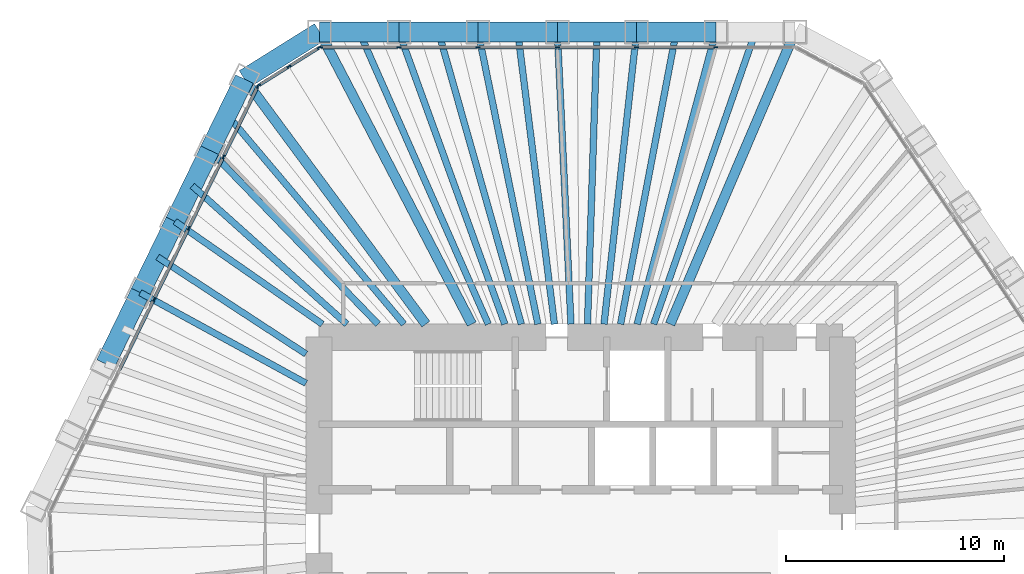
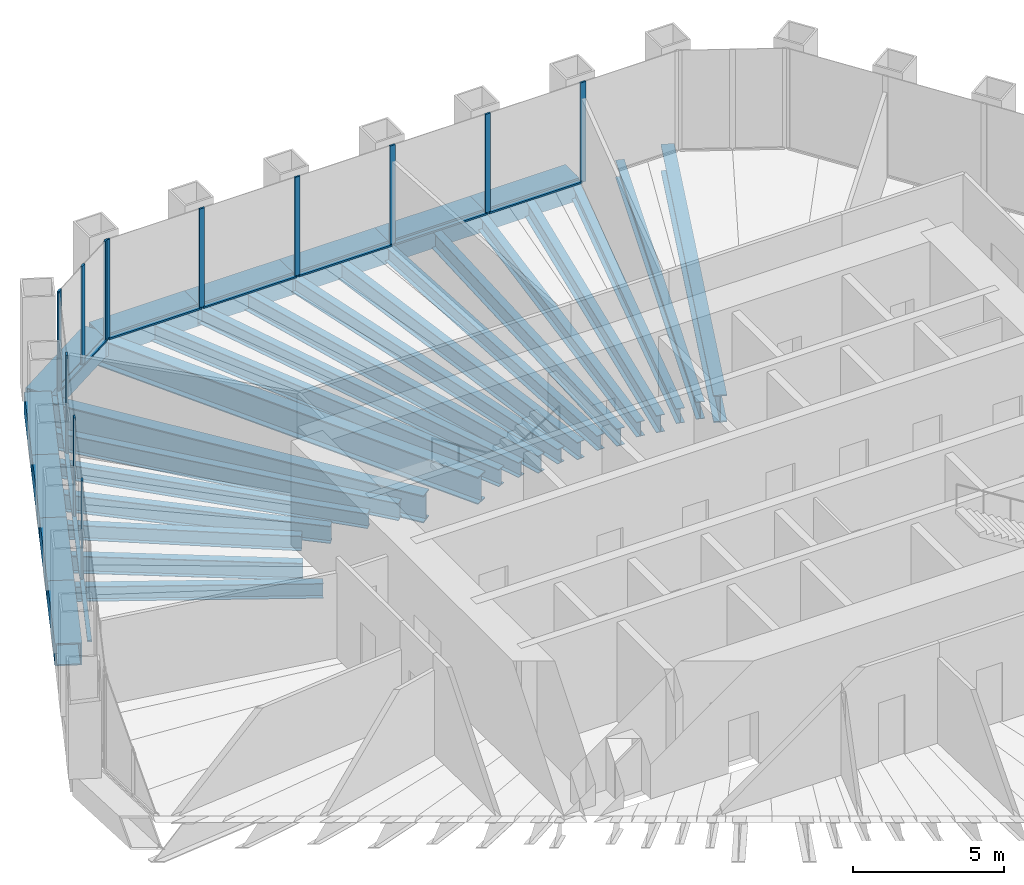
# One storey, part 6 of 13: 30 beams, 24 members, 3 elements without a shape of their own.
"""IFC4 building model written with IfcOpenShell, lengths in metres."""

from ifc_helpers import new_model, si_unit, direction, frame, origin, origin_2d, place, context, subcontext, project, spatial, rectangle, hollow_rectangle, i_section, extrude, material, material_profile, profile_set, type_object, element, aggregate, save


model = new_model("IFC4")

# Units and contexts
model_context = context("Model", 3, precision=1e-05, world=origin(), true_north=direction((0.0, 1.0)))
body_context = subcontext(model_context, "Body", "Model", "MODEL_VIEW")
ifc_project = project(units=[si_unit("LENGTHUNIT", "METRE"), si_unit("AREAUNIT", "SQUARE_METRE"), si_unit("VOLUMEUNIT", "CUBIC_METRE"), si_unit("PLANEANGLEUNIT", "RADIAN"), si_unit("MASSUNIT", "GRAM", prefix="KILO")], contexts=[model_context])

# Site, building, storey
site_placement = place(None, origin())
site = spatial("IfcSite", under=ifc_project, at=site_placement, CompositionType="ELEMENT")
building_placement = place(site_placement, origin())
building = spatial("IfcBuilding", under=site, at=building_placement, Name="Qingtian Harvest Tower", CompositionType="ELEMENT")
storey_placement = place(building_placement, frame((0.0, 0.0, 205.60009765625)))
storey = spatial("IfcBuildingStorey", under=building, at=storey_placement, Name="L44", CompositionType="ELEMENT", Elevation=205.60009765625)

# Beams
ifc_material_1 = material(Name="Steel SM570MC", Category="steel")
ifc_material_profile_1 = material_profile(ifc_material_1, i_section(OverallWidth=0.449951171875, OverallDepth=1.10009765625, WebThickness=0.02197265625, FlangeThickness=0.044921875, at=origin_2d()), Name="H1100x450x22x45")
ifc_profile_set_1 = profile_set([ifc_material_profile_1], Name="Steel SM570MC")
beam_type_1 = type_object("IfcBeamType", Name="Corner floor beam FB8 H1100x450x22x45", PredefinedType="BEAM", material=ifc_profile_set_1)
beam_1_placement = place(storey_placement, frame((-11.971923828125, 23.0, -0.72021484375), z_axis=(0.461712460868, -0.887029651973, 0.0), x_axis=(0.887029651973, 0.461712460868, 0.0)))
element("IfcBeam", 1, at=beam_1_placement, inside=storey, type_object=beam_type_1, Name="Floor beam FB8 N0", PredefinedType="BEAM", context=body_context, shape_type="SweptSolid", body=[
    extrude(i_section(OverallWidth=0.449951171875, OverallDepth=1.10009765625, WebThickness=0.02197265625, FlangeThickness=0.044921875, at=origin_2d()), origin(), (0.0, 0.0, 1.0), 15.1064453125),
])
beam_2_placement = place(storey_placement, frame((9.829345703125, 23.0, -0.72021484375), z_axis=(-0.392976835482, -0.91954837109, 0.0), x_axis=(0.91954837109, -0.392976835482, 0.0)))
element("IfcBeam", 2, at=beam_2_placement, inside=storey, type_object=beam_type_1, Name="Floor beam FB8 N6", PredefinedType="BEAM", context=body_context, shape_type="SweptSolid", body=[
    extrude(i_section(OverallWidth=0.449951171875, OverallDepth=1.10009765625, WebThickness=0.02197265625, FlangeThickness=0.044921875, at=origin_2d()), origin(), (0.0, 0.0, 1.0), 14.572265625),
])
beam_3_placement = place(storey_placement, frame((-15.424072265625, 20.8427734375, -0.72021484375), z_axis=(0.594854284538, -0.803833552526, 0.0), x_axis=(0.803833552526, 0.594854284538, 0.0)))
element("IfcBeam", 3, at=beam_3_placement, inside=storey, type_object=beam_type_1, Name="Floor beam FB8 NW6", PredefinedType="BEAM", context=body_context, shape_type="SweptSolid", body=[
    extrude(i_section(OverallWidth=0.449951171875, OverallDepth=1.10009765625, WebThickness=0.02197265625, FlangeThickness=0.044921875, at=origin_2d()), origin(), (0.0, 0.0, 1.0), 13.986328125),
])
ifc_material_2 = material(Name="Steel SN490B", Category="steel")
ifc_material_profile_2 = material_profile(ifc_material_2, i_section(OverallWidth=0.300048828125, OverallDepth=0.60009765625, WebThickness=0.011962890625, FlangeThickness=0.02001953125, at=origin_2d()), Name="H600x300x12x20")
ifc_profile_set_2 = profile_set([ifc_material_profile_2], Name="Steel SN490B")
beam_type_2 = type_object("IfcBeamType", Name="Floor beam FB3 H600x300x12x20", PredefinedType="BEAM", material=ifc_profile_set_2)
beam_4_placement = place(storey_placement, frame((-8.33837890625, 23.0, -0.47021484375), z_axis=(0.340826952705, -0.94012604916, 0.0), x_axis=(0.94012604916, 0.340826952705, 0.0)))
element("IfcBeam", 4, at=beam_4_placement, inside=storey, type_object=beam_type_2, Name="Floor beam FB3 N1", PredefinedType="BEAM", context=body_context, shape_type="SweptSolid", body=[
    extrude(i_section(OverallWidth=0.300048828125, OverallDepth=0.60009765625, WebThickness=0.011962890625, FlangeThickness=0.02001953125, at=origin_2d()), origin(), (0.0, 0.0, 1.0), 14.25341796875),
])
beam_5_placement = place(storey_placement, frame((-4.704833984375, 23.0, -0.47021484375), z_axis=(0.200401687601, -0.979713817197, 0.0), x_axis=(0.979713817197, 0.200401687601, 0.0)))
element("IfcBeam", 5, at=beam_5_placement, inside=storey, type_object=beam_type_2, Name="Floor beam FB3 N2", PredefinedType="BEAM", context=body_context, shape_type="SweptSolid", body=[
    extrude(i_section(OverallWidth=0.300048828125, OverallDepth=0.60009765625, WebThickness=0.011962890625, FlangeThickness=0.02001953125, at=origin_2d()), origin(), (0.0, 0.0, 1.0), 13.67724609375),
])
beam_6_placement = place(storey_placement, frame((-1.0712890625, 23.0, -0.47021484375), z_axis=(0.04651883736, -0.998917412888, 0.0), x_axis=(0.998917412888, 0.04651883736, 0.0)))
element("IfcBeam", 6, at=beam_6_placement, inside=storey, type_object=beam_type_2, Name="Floor beam FB3 N3", PredefinedType="BEAM", context=body_context, shape_type="SweptSolid", body=[
    extrude(i_section(OverallWidth=0.300048828125, OverallDepth=0.60009765625, WebThickness=0.011962890625, FlangeThickness=0.02001953125, at=origin_2d()), origin(), (0.0, 0.0, 1.0), 13.414306640625),
])
beam_7_placement = place(storey_placement, frame((2.562255859375, 23.0, -0.47021484375), z_axis=(-0.110727645803, -0.993850787822, 0.0), x_axis=(0.993850787822, -0.110727645803, 0.0)))
element("IfcBeam", 7, at=beam_7_placement, inside=storey, type_object=beam_type_2, Name="Floor beam FB3 N4", PredefinedType="BEAM", context=body_context, shape_type="SweptSolid", body=[
    extrude(i_section(OverallWidth=0.300048828125, OverallDepth=0.60009765625, WebThickness=0.011962890625, FlangeThickness=0.02001953125, at=origin_2d()), origin(), (0.0, 0.0, 1.0), 13.48291015625),
])
beam_8_placement = place(storey_placement, frame((6.19580078125, 23.0, -0.47021484375), z_axis=(-0.260121100906, -0.965576000563, 0.0), x_axis=(0.965576000563, -0.260121100906, 0.0)))
element("IfcBeam", 8, at=beam_8_placement, inside=storey, type_object=beam_type_2, Name="Floor beam FB3 N5", PredefinedType="BEAM", context=body_context, shape_type="SweptSolid", body=[
    extrude(i_section(OverallWidth=0.300048828125, OverallDepth=0.60009765625, WebThickness=0.011962890625, FlangeThickness=0.02001953125, at=origin_2d()), origin(), (0.0, 0.0, 1.0), 13.877685546875),
])
beam_9_placement = place(storey_placement, frame((-20.20263671875, 11.04541015625, -0.47021484375), z_axis=(0.87742673539, -0.479710666988, 0.0), x_axis=(0.479710666988, 0.87742673539, 0.0)))
element("IfcBeam", 9, at=beam_9_placement, inside=storey, type_object=beam_type_2, Name="Floor beam FB3 NW3", PredefinedType="BEAM", context=body_context, shape_type="SweptSolid", body=[
    extrude(i_section(OverallWidth=0.300048828125, OverallDepth=0.60009765625, WebThickness=0.011962890625, FlangeThickness=0.02001953125, at=origin_2d()), origin(), (0.0, 0.0, 1.0), 8.66455078125),
])
beam_10_placement = place(storey_placement, frame((-18.60986328125, 14.311279296875, -0.47021484375), z_axis=(0.820407854234, -0.571778762032, 0.0), x_axis=(0.571778762032, 0.820407854234, 0.0)))
element("IfcBeam", 10, at=beam_10_placement, inside=storey, type_object=beam_type_2, Name="Floor beam FB3 NW4", PredefinedType="BEAM", context=body_context, shape_type="SweptSolid", body=[
    extrude(i_section(OverallWidth=0.300048828125, OverallDepth=0.60009765625, WebThickness=0.011962890625, FlangeThickness=0.02001953125, at=origin_2d()), origin(), (0.0, 0.0, 1.0), 8.239501953125),
])
beam_11_placement = place(storey_placement, frame((-17.016845703125, 17.5771484375, -0.47021484375), z_axis=(0.695569024353, -0.718459276759, 0.0), x_axis=(0.718459276759, 0.695569024353, 0.0)))
element("IfcBeam", 11, at=beam_11_placement, inside=storey, type_object=beam_type_2, Name="Floor beam FB3 NW5", PredefinedType="BEAM", context=body_context, shape_type="SweptSolid", body=[
    extrude(i_section(OverallWidth=0.300048828125, OverallDepth=0.60009765625, WebThickness=0.011962890625, FlangeThickness=0.02001953125, at=origin_2d()), origin(), (0.0, 0.0, 1.0), 11.10302734375),
])
ifc_material_3 = material(Name="Steel SN490B", Category="steel")
ifc_material_profile_3 = material_profile(ifc_material_3, i_section(OverallWidth=0.300048828125, OverallDepth=0.699951171875, WebThickness=0.012939453125, FlangeThickness=0.02392578125, at=origin_2d()), Name="H700x300x13x24")
ifc_profile_set_3 = profile_set([ifc_material_profile_3], Name="Steel SN490B")
beam_type_3 = type_object("IfcBeamType", Name="Floor joist J2 H700x300x13x24", PredefinedType="JOIST", material=ifc_profile_set_3)
beam_12_placement = place(storey_placement, frame((-10.1552734375, 23.0, -0.52001953125), z_axis=(0.40391347792, -0.914797191925, 0.0), x_axis=(0.914797191925, 0.40391347792, 0.0)))
element("IfcBeam", 12, at=beam_12_placement, inside=storey, type_object=beam_type_3, Name="Floor joist J2 N0", PredefinedType="JOIST", context=body_context, shape_type="SweptSolid", body=[
    extrude(i_section(OverallWidth=0.300048828125, OverallDepth=0.699951171875, WebThickness=0.012939453125, FlangeThickness=0.02392578125, at=origin_2d()), origin(), (0.0, 0.0, 1.0), 14.64794921875),
])
beam_13_placement = place(storey_placement, frame((-6.521728515625, 23.0, -0.52001953125), z_axis=(0.272796737564, -0.962071691702, 0.0), x_axis=(0.962071691702, 0.272796737564, 0.0)))
element("IfcBeam", 13, at=beam_13_placement, inside=storey, type_object=beam_type_3, Name="Floor joist J2 N1", PredefinedType="JOIST", context=body_context, shape_type="SweptSolid", body=[
    extrude(i_section(OverallWidth=0.300048828125, OverallDepth=0.699951171875, WebThickness=0.012939453125, FlangeThickness=0.02392578125, at=origin_2d()), origin(), (0.0, 0.0, 1.0), 13.92822265625),
])
beam_14_placement = place(storey_placement, frame((-2.88818359375, 23.0, -0.52001953125), z_axis=(0.124590949529, -0.992208191508, 0.0), x_axis=(0.992208191508, 0.124590949529, 0.0)))
element("IfcBeam", 14, at=beam_14_placement, inside=storey, type_object=beam_type_3, Name="Floor joist J2 N2", PredefinedType="JOIST", context=body_context, shape_type="SweptSolid", body=[
    extrude(i_section(OverallWidth=0.300048828125, OverallDepth=0.699951171875, WebThickness=0.012939453125, FlangeThickness=0.02392578125, at=origin_2d()), origin(), (0.0, 0.0, 1.0), 13.505126953125),
])
beam_15_placement = place(storey_placement, frame((0.745361328125, 23.0, -0.52001953125), z_axis=(-0.032395624487, -0.99947512401, 0.0), x_axis=(0.99947512401, -0.032395624487, 0.0)))
element("IfcBeam", 15, at=beam_15_placement, inside=storey, type_object=beam_type_3, Name="Floor joist J2 N3", PredefinedType="JOIST", context=body_context, shape_type="SweptSolid", body=[
    extrude(i_section(OverallWidth=0.300048828125, OverallDepth=0.699951171875, WebThickness=0.012939453125, FlangeThickness=0.02392578125, at=origin_2d()), origin(), (0.0, 0.0, 1.0), 13.406982421875),
])
beam_16_placement = place(storey_placement, frame((4.37890625, 23.0, -0.52001953125), z_axis=(-0.187034797062, -0.982353289142, 0.0), x_axis=(0.982353289142, -0.187034797062, 0.0)))
element("IfcBeam", 16, at=beam_16_placement, inside=storey, type_object=beam_type_3, Name="Floor joist J2 N4", PredefinedType="JOIST", context=body_context, shape_type="SweptSolid", body=[
    extrude(i_section(OverallWidth=0.300048828125, OverallDepth=0.699951171875, WebThickness=0.012939453125, FlangeThickness=0.02392578125, at=origin_2d()), origin(), (0.0, 0.0, 1.0), 13.640625),
])
beam_17_placement = place(storey_placement, frame((8.012451171875, 23.0, -0.52001953125), z_axis=(-0.328969033283, -0.944340709247, 0.0), x_axis=(0.944340709247, -0.328969033283, 0.0)))
element("IfcBeam", 17, at=beam_17_placement, inside=storey, type_object=beam_type_3, Name="Floor joist J2 N5", PredefinedType="JOIST", context=body_context, shape_type="SweptSolid", body=[
    extrude(i_section(OverallWidth=0.300048828125, OverallDepth=0.699951171875, WebThickness=0.012939453125, FlangeThickness=0.02392578125, at=origin_2d()), origin(), (0.0, 0.0, 1.0), 14.189697265625),
])
beam_18_placement = place(storey_placement, frame((-19.40625, 12.678466796875, -0.52001953125), z_axis=(0.837161066611, -0.546956441182, 0.0), x_axis=(0.546956441182, 0.837161066611, 0.0)))
element("IfcBeam", 18, at=beam_18_placement, inside=storey, type_object=beam_type_3, Name="Floor joist J2 NW3", PredefinedType="JOIST", context=body_context, shape_type="SweptSolid", body=[
    extrude(i_section(OverallWidth=0.300048828125, OverallDepth=0.699951171875, WebThickness=0.012939453125, FlangeThickness=0.02392578125, at=origin_2d()), origin(), (0.0, 0.0, 1.0), 8.130126953125),
])
beam_19_placement = place(storey_placement, frame((-17.813232421875, 15.944091796875, -0.52001953125), z_axis=(0.745126517589, -0.66692313859, 0.0), x_axis=(0.66692313859, 0.745126517589, 0.0)))
element("IfcBeam", 19, at=beam_19_placement, inside=storey, type_object=beam_type_3, Name="Floor joist J2 NW4", PredefinedType="JOIST", context=body_context, shape_type="SweptSolid", body=[
    extrude(i_section(OverallWidth=0.300048828125, OverallDepth=0.699951171875, WebThickness=0.012939453125, FlangeThickness=0.02392578125, at=origin_2d()), origin(), (0.0, 0.0, 1.0), 9.512451171875),
])
beam_20_placement = place(storey_placement, frame((-16.220458984375, 19.2099609375, -0.52001953125), z_axis=(0.645157903911, -0.764049264787, 0.0), x_axis=(0.764049264787, 0.645157903911, 0.0)))
element("IfcBeam", 20, at=beam_20_placement, inside=storey, type_object=beam_type_3, Name="Floor joist J2 NW5", PredefinedType="JOIST", context=body_context, shape_type="SweptSolid", body=[
    extrude(i_section(OverallWidth=0.300048828125, OverallDepth=0.699951171875, WebThickness=0.012939453125, FlangeThickness=0.02392578125, at=origin_2d()), origin(), (0.0, 0.0, 1.0), 12.57763671875),
])

# Curtain wall, members
ifc_material_4 = material(Name="Bronze-anodised aluminium curtain wall", Category="aluminium")
curtain_wall_type = type_object("IfcCurtainWallType", Name="Curtain wall CW4 office", PredefinedType="USERDEFINED", material=ifc_material_4)
curtain_wall_1_placement = place(storey_placement, origin())
curtain_wall_1 = element("IfcCurtainWall", 21, at=curtain_wall_1_placement, inside=storey, type_object=curtain_wall_type, Name="Curtain wall CW4 L44 N0-5", ObjectType="RECESSED CURTAIN WALL", PredefinedType="USERDEFINED")
ifc_material_5 = material(Name="Bronze-anodised aluminium mullion", Category="aluminium")
ifc_material_profile_4 = material_profile(ifc_material_5, rectangle(XDim=0.06494140625, YDim=0.199951171875, at=origin_2d()), Name="AL 65x200")
ifc_profile_set_4 = profile_set([ifc_material_profile_4], Name="Bronze-anodised aluminium mullion")
member_type_1 = type_object("IfcMemberType", Name="Mullion CWM 65x200", PredefinedType="MULLION", material=ifc_profile_set_4)
member_1_placement = place(storey_placement, frame((-11.939453125, 22.300048828125, 0.0), z_axis=(0.0, 0.0, 1.0), x_axis=(0.0, 1.0, 0.0)))
member_1 = element("IfcMember", 22, at=member_1_placement, type_object=member_type_1, Name="CW4 mullion 1", PredefinedType="MULLION", context=body_context, shape_type="SweptSolid", body=[
    extrude(rectangle(XDim=0.06494140625, YDim=0.199951171875, at=origin_2d()), origin(), (0.0, 0.0, 1.0), 4.02978515625),
])
member_2_placement = place(storey_placement, frame((-8.33837890625, 22.300048828125, 0.0), z_axis=(0.0, 0.0, 1.0), x_axis=(0.0, 1.0, 0.0)))
member_2 = element("IfcMember", 23, at=member_2_placement, type_object=member_type_1, Name="CW4 mullion 2", PredefinedType="MULLION", context=body_context, shape_type="SweptSolid", body=[
    extrude(rectangle(XDim=0.06494140625, YDim=0.199951171875, at=origin_2d()), origin(), (0.0, 0.0, 1.0), 4.02978515625),
])
member_3_placement = place(storey_placement, frame((-4.704833984375, 22.300048828125, 0.0), z_axis=(0.0, 0.0, 1.0), x_axis=(0.0, 1.0, 0.0)))
member_3 = element("IfcMember", 24, at=member_3_placement, type_object=member_type_1, Name="CW4 mullion 3", PredefinedType="MULLION", context=body_context, shape_type="SweptSolid", body=[
    extrude(rectangle(XDim=0.06494140625, YDim=0.199951171875, at=origin_2d()), origin(), (0.0, 0.0, 1.0), 4.02978515625),
])
member_4_placement = place(storey_placement, frame((-1.0712890625, 22.300048828125, 0.0), z_axis=(0.0, 0.0, 1.0), x_axis=(0.0, 1.0, 0.0)))
member_4 = element("IfcMember", 25, at=member_4_placement, type_object=member_type_1, Name="CW4 mullion 4", PredefinedType="MULLION", context=body_context, shape_type="SweptSolid", body=[
    extrude(rectangle(XDim=0.06494140625, YDim=0.199951171875, at=origin_2d()), origin(), (0.0, 0.0, 1.0), 4.02978515625),
])
member_5_placement = place(storey_placement, frame((2.562255859375, 22.300048828125, 0.0), z_axis=(0.0, 0.0, 1.0), x_axis=(0.0, 1.0, 0.0)))
member_5 = element("IfcMember", 26, at=member_5_placement, type_object=member_type_1, Name="CW4 mullion 5", PredefinedType="MULLION", context=body_context, shape_type="SweptSolid", body=[
    extrude(rectangle(XDim=0.06494140625, YDim=0.199951171875, at=origin_2d()), origin(), (0.0, 0.0, 1.0), 4.02978515625),
])
member_6_placement = place(storey_placement, frame((6.19580078125, 22.300048828125, 0.0), z_axis=(0.0, 0.0, 1.0), x_axis=(0.0, 1.0, 0.0)))
member_6 = element("IfcMember", 27, at=member_6_placement, type_object=member_type_1, Name="CW4 mullion 6", PredefinedType="MULLION", context=body_context, shape_type="SweptSolid", body=[
    extrude(rectangle(XDim=0.06494140625, YDim=0.199951171875, at=origin_2d()), origin(), (0.0, 0.0, 1.0), 4.02978515625),
])

curtain_wall_2_placement = place(storey_placement, origin())
curtain_wall_2 = element("IfcCurtainWall", 28, at=curtain_wall_2_placement, inside=storey, type_object=curtain_wall_type, Name="Curtain wall CW4 L44 NW0-5", ObjectType="RECESSED CURTAIN WALL", PredefinedType="USERDEFINED")
member_7_placement = place(storey_placement, frame((-19.573486328125, 10.738525390625, 0.0), z_axis=(0.0, 0.0, 1.0), x_axis=(-0.898794046299, 0.438371146789, 0.0)))
member_7 = element("IfcMember", 29, at=member_7_placement, type_object=member_type_1, Name="CW4 mullion 4", PredefinedType="MULLION", context=body_context, shape_type="SweptSolid", body=[
    extrude(rectangle(XDim=0.06494140625, YDim=0.199951171875, at=origin_2d()), origin(), (0.0, 0.0, 1.0), 4.02978515625),
])
member_8_placement = place(storey_placement, frame((-17.980712890625, 14.00439453125, 0.0), z_axis=(0.0, 0.0, 1.0), x_axis=(-0.898794046299, 0.438371146789, 0.0)))
member_8 = element("IfcMember", 30, at=member_8_placement, type_object=member_type_1, Name="CW4 mullion 5", PredefinedType="MULLION", context=body_context, shape_type="SweptSolid", body=[
    extrude(rectangle(XDim=0.06494140625, YDim=0.199951171875, at=origin_2d()), origin(), (0.0, 0.0, 1.0), 4.02978515625),
])
member_9_placement = place(storey_placement, frame((-16.3876953125, 17.270263671875, 0.0), z_axis=(0.0, 0.0, 1.0), x_axis=(-0.898794046299, 0.438371146789, 0.0)))
member_9 = element("IfcMember", 31, at=member_9_placement, type_object=member_type_1, Name="CW4 mullion 6", PredefinedType="MULLION", context=body_context, shape_type="SweptSolid", body=[
    extrude(rectangle(XDim=0.06494140625, YDim=0.199951171875, at=origin_2d()), origin(), (0.0, 0.0, 1.0), 4.02978515625),
])
member_10_placement = place(storey_placement, frame((-14.80908203125, 20.5068359375, 0.0), z_axis=(0.0, 0.0, 1.0), x_axis=(-0.898794046299, 0.438371146789, 0.0)))
member_10 = element("IfcMember", 32, at=member_10_placement, type_object=member_type_1, Name="CW4 mullion 7", PredefinedType="MULLION", context=body_context, shape_type="SweptSolid", body=[
    extrude(rectangle(XDim=0.06494140625, YDim=0.199951171875, at=origin_2d()), origin(), (0.0, 0.0, 1.0), 4.02978515625),
])

curtain_wall_3_placement = place(storey_placement, origin())
curtain_wall_3 = element("IfcCurtainWall", 33, at=curtain_wall_3_placement, inside=storey, type_object=curtain_wall_type, Name="Curtain wall CW4 L44 NWC", ObjectType="RECESSED CURTAIN WALL", PredefinedType="USERDEFINED")
member_11_placement = place(storey_placement, frame((-14.767333984375, 20.55322265625, 0.0), z_axis=(0.0, 0.0, 1.0), x_axis=(-0.529919264233, 0.848048096156, 0.0)))
member_11 = element("IfcMember", 34, at=member_11_placement, type_object=member_type_1, Name="CW4 mullion 1", PredefinedType="MULLION", context=body_context, shape_type="SweptSolid", body=[
    extrude(rectangle(XDim=0.06494140625, YDim=0.199951171875, at=origin_2d()), origin(), (0.0, 0.0, 1.0), 4.02978515625),
])
member_12_placement = place(storey_placement, frame((-13.383544921875, 21.41796875, 0.0), z_axis=(0.0, 0.0, 1.0), x_axis=(-0.529919264233, 0.848048096156, 0.0)))
member_12 = element("IfcMember", 35, at=member_12_placement, type_object=member_type_1, Name="CW4 mullion 2", PredefinedType="MULLION", context=body_context, shape_type="SweptSolid", body=[
    extrude(rectangle(XDim=0.06494140625, YDim=0.199951171875, at=origin_2d()), origin(), (0.0, 0.0, 1.0), 4.02978515625),
])
member_13_placement = place(storey_placement, frame((-11.99951171875, 22.28271484375, 0.0), z_axis=(0.0, 0.0, 1.0), x_axis=(-0.529919264233, 0.848048096156, 0.0)))
member_13 = element("IfcMember", 36, at=member_13_placement, type_object=member_type_1, Name="CW4 mullion 3", PredefinedType="MULLION", context=body_context, shape_type="SweptSolid", body=[
    extrude(rectangle(XDim=0.06494140625, YDim=0.199951171875, at=origin_2d()), origin(), (0.0, 0.0, 1.0), 4.02978515625),
])

# Beams
ifc_material_6 = material(Name="Steel SM570MC", Category="steel")
ifc_material_profile_5 = material_profile(ifc_material_6, hollow_rectangle(XDim=0.89990234375, YDim=0.89990234375, WallThickness=0.050048828125, at=origin_2d()), Name="BOX900x900x50")
ifc_profile_set_5 = profile_set([ifc_material_profile_5], Name="Steel SM570MC")
beam_type_4 = type_object("IfcBeamType", Name="Transition spandrel SB6 BOX900x900x50", PredefinedType="SPANDREL", material=ifc_profile_set_5)
for number, where, z_axis, x_axis, name in (
    (37, (-11.971923828125, 23.0, -0.4501953125), (1.0, 0.0, 0.0), (0.0, 1.0, 0.0), "Spandrel SB6 N0"),
    (38, (-8.33837890625, 23.0, -0.4501953125), (1.0, 0.0, 0.0), (0.0, 1.0, 0.0), "Spandrel SB6 N1"),
    (39, (-4.704833984375, 23.0, -0.4501953125), (1.0, 0.0, 0.0), (0.0, 1.0, 0.0), "Spandrel SB6 N2"),
    (40, (-1.0712890625, 23.0, -0.4501953125), (1.0, 0.0, 0.0), (0.0, 1.0, 0.0), "Spandrel SB6 N3"),
    (41, (2.562255859375, 23.0, -0.4501953125), (1.0, 0.0, 0.0), (0.0, 1.0, 0.0), "Spandrel SB6 N4"),
    (42, (-21.79541015625, 7.779541015625, -0.4501953125), (0.438349498419, 0.898804604592, 0.0), (-0.898804604592, 0.438349498419, 0.0), "Spandrel SB6 NW2"),
    (43, (-20.20263671875, 11.04541015625, -0.4501953125), (0.438349498419, 0.898804604592, 0.0), (-0.898804604592, 0.438349498419, 0.0), "Spandrel SB6 NW3"),
):
    element("IfcBeam", number, at=place(storey_placement, frame(where, z_axis=z_axis, x_axis=x_axis)), inside=storey, type_object=beam_type_4, Name=name, PredefinedType="SPANDREL", context=body_context, shape_type="SweptSolid", body=[
        extrude(hollow_rectangle(XDim=0.89990234375, YDim=0.89990234375, WallThickness=0.050048828125, at=origin_2d()), origin(), (0.0, 0.0, 1.0), 3.633544921875),
    ])
beam_21_placement = place(storey_placement, frame((-18.60986328125, 14.311279296875, -0.4501953125), z_axis=(0.438403775684, 0.898778131391, 0.0), x_axis=(-0.898778131391, 0.438403775684, 0.0)))
element("IfcBeam", 44, at=beam_21_placement, inside=storey, type_object=beam_type_4, Name="Spandrel SB6 NW4", PredefinedType="SPANDREL", context=body_context, shape_type="SweptSolid", body=[
    extrude(hollow_rectangle(XDim=0.89990234375, YDim=0.89990234375, WallThickness=0.050048828125, at=origin_2d()), origin(), (0.0, 0.0, 1.0), 3.6337890625),
])
beam_22_placement = place(storey_placement, frame((-17.016845703125, 17.5771484375, -0.4501953125), z_axis=(0.43837597217, 0.898791692788, 0.0), x_axis=(-0.898791692788, 0.43837597217, 0.0)))
element("IfcBeam", 45, at=beam_22_placement, inside=storey, type_object=beam_type_4, Name="Spandrel SB6 NW5", PredefinedType="SPANDREL", context=body_context, shape_type="SweptSolid", body=[
    extrude(hollow_rectangle(XDim=0.89990234375, YDim=0.89990234375, WallThickness=0.050048828125, at=origin_2d()), origin(), (0.0, 0.0, 1.0), 3.63330078125),
])
beam_23_placement = place(storey_placement, frame((-15.424072265625, 20.8427734375, -0.4501953125), z_axis=(0.848038733752, 0.529934246919, 0.0), x_axis=(-0.529934246919, 0.848038733752, 0.0)))
element("IfcBeam", 46, at=beam_23_placement, inside=storey, type_object=beam_type_4, Name="Spandrel SB6 NWC", PredefinedType="SPANDREL", context=body_context, shape_type="SweptSolid", body=[
    extrude(hollow_rectangle(XDim=0.89990234375, YDim=0.89990234375, WallThickness=0.050048828125, at=origin_2d()), origin(), (0.0, 0.0, 1.0), 4.07080078125),
])

# Member
ifc_material_7 = material(Name="Bronze-anodised aluminium transom", Category="aluminium")
ifc_material_profile_6 = material_profile(ifc_material_7, rectangle(XDim=0.14990234375, YDim=0.06494140625, at=origin_2d()), Name="AL 65x150")
ifc_profile_set_6 = profile_set([ifc_material_profile_6], Name="Bronze-anodised aluminium transom")
member_type_2 = type_object("IfcMemberType", Name="Transom CWT 65x150", PredefinedType="USERDEFINED", material=ifc_profile_set_6)
member_14_placement = place(storey_placement, frame((-11.906982421875, 22.300048828125, 0.032470703125), z_axis=(1.0, 0.0, 0.0), x_axis=(0.0, 1.0, 0.0)))
member_14 = element("IfcMember", 47, at=member_14_placement, type_object=member_type_2, Name="CW4 transom 1.1", ObjectType="TRANSOM", PredefinedType="USERDEFINED", context=body_context, shape_type="SweptSolid", body=[
    extrude(rectangle(XDim=0.14990234375, YDim=0.06494140625, at=origin_2d()), origin(), (0.0, 0.0, 1.0), 3.5361328125),
])

member_15_placement = place(storey_placement, frame((-8.305908203125, 22.300048828125, 0.032470703125), z_axis=(1.0, 0.0, 0.0), x_axis=(0.0, 1.0, 0.0)))
member_15 = element("IfcMember", 48, at=member_15_placement, type_object=member_type_2, Name="CW4 transom 2.1", ObjectType="TRANSOM", PredefinedType="USERDEFINED", context=body_context, shape_type="SweptSolid", body=[
    extrude(rectangle(XDim=0.14990234375, YDim=0.06494140625, at=origin_2d()), origin(), (0.0, 0.0, 1.0), 3.568603515625),
])

member_16_placement = place(storey_placement, frame((-4.67236328125, 22.300048828125, 0.032470703125), z_axis=(1.0, 0.0, 0.0), x_axis=(0.0, 1.0, 0.0)))
member_16 = element("IfcMember", 49, at=member_16_placement, type_object=member_type_2, Name="CW4 transom 3.1", ObjectType="TRANSOM", PredefinedType="USERDEFINED", context=body_context, shape_type="SweptSolid", body=[
    extrude(rectangle(XDim=0.14990234375, YDim=0.06494140625, at=origin_2d()), origin(), (0.0, 0.0, 1.0), 3.568603515625),
])

member_17_placement = place(storey_placement, frame((-1.038818359375, 22.300048828125, 0.032470703125), z_axis=(1.0, 0.0, 0.0), x_axis=(0.0, 1.0, 0.0)))
member_17 = element("IfcMember", 50, at=member_17_placement, type_object=member_type_2, Name="CW4 transom 4.1", ObjectType="TRANSOM", PredefinedType="USERDEFINED", context=body_context, shape_type="SweptSolid", body=[
    extrude(rectangle(XDim=0.14990234375, YDim=0.06494140625, at=origin_2d()), origin(), (0.0, 0.0, 1.0), 3.568603515625),
])

member_18_placement = place(storey_placement, frame((2.5947265625, 22.300048828125, 0.032470703125), z_axis=(1.0, 0.0, 0.0), x_axis=(0.0, 1.0, 0.0)))
member_18 = element("IfcMember", 51, at=member_18_placement, type_object=member_type_2, Name="CW4 transom 5.1", ObjectType="TRANSOM", PredefinedType="USERDEFINED", context=body_context, shape_type="SweptSolid", body=[
    extrude(rectangle(XDim=0.14990234375, YDim=0.06494140625, at=origin_2d()), origin(), (0.0, 0.0, 1.0), 3.568603515625),
])

aggregate(curtain_wall_1, [member_1, member_2, member_3, member_4, member_5, member_6, member_14, member_15, member_16, member_17, member_18])

member_19_placement = place(storey_placement, frame((-21.152099609375, 7.501953125, 0.032470703125), z_axis=(0.438380500422, 0.898789484167, 0.0), x_axis=(-0.898789484167, 0.438380500422, 0.0)))
member_19 = element("IfcMember", 52, at=member_19_placement, type_object=member_type_2, Name="CW4 transom 3.1", ObjectType="TRANSOM", PredefinedType="USERDEFINED", context=body_context, shape_type="SweptSolid", body=[
    extrude(rectangle(XDim=0.14990234375, YDim=0.06494140625, at=origin_2d()), origin(), (0.0, 0.0, 1.0), 3.568603515625),
])

member_20_placement = place(storey_placement, frame((-19.559326171875, 10.767822265625, 0.032470703125), z_axis=(0.438407456795, 0.898776335818, 0.0), x_axis=(-0.898776335818, 0.438407456795, 0.0)))
member_20 = element("IfcMember", 53, at=member_20_placement, type_object=member_type_2, Name="CW4 transom 4.1", ObjectType="TRANSOM", PredefinedType="USERDEFINED", context=body_context, shape_type="SweptSolid", body=[
    extrude(rectangle(XDim=0.14990234375, YDim=0.06494140625, at=origin_2d()), origin(), (0.0, 0.0, 1.0), 3.568603515625),
])

member_21_placement = place(storey_placement, frame((-17.96630859375, 14.03369140625, 0.032470703125), z_axis=(0.438352188226, 0.898803292761, 0.0), x_axis=(-0.898803292761, 0.438352188226, 0.0)))
member_21 = element("IfcMember", 54, at=member_21_placement, type_object=member_type_2, Name="CW4 transom 5.1", ObjectType="TRANSOM", PredefinedType="USERDEFINED", context=body_context, shape_type="SweptSolid", body=[
    extrude(rectangle(XDim=0.14990234375, YDim=0.06494140625, at=origin_2d()), origin(), (0.0, 0.0, 1.0), 3.568359375),
])

member_22_placement = place(storey_placement, frame((-16.37353515625, 17.29931640625, 0.032470703125), z_axis=(0.438354255898, 0.898802284341, 0.0), x_axis=(-0.898802284341, 0.438354255898, 0.0)))
member_22 = element("IfcMember", 55, at=member_22_placement, type_object=member_type_2, Name="CW4 transom 6.1", ObjectType="TRANSOM", PredefinedType="USERDEFINED", context=body_context, shape_type="SweptSolid", body=[
    extrude(rectangle(XDim=0.14990234375, YDim=0.06494140625, at=origin_2d()), origin(), (0.0, 0.0, 1.0), 3.5361328125),
])

aggregate(curtain_wall_2, [member_7, member_8, member_9, member_10, member_19, member_20, member_21, member_22])

member_23_placement = place(storey_placement, frame((-14.73974609375, 20.570556640625, 0.032470703125), z_axis=(0.848015812303, 0.529970925697, 0.0), x_axis=(-0.529970925697, 0.848015812303, 0.0)))
member_23 = element("IfcMember", 56, at=member_23_placement, type_object=member_type_2, Name="CW4 transom 1.1", ObjectType="TRANSOM", PredefinedType="USERDEFINED", context=body_context, shape_type="SweptSolid", body=[
    extrude(rectangle(XDim=0.14990234375, YDim=0.06494140625, at=origin_2d()), origin(), (0.0, 0.0, 1.0), 1.566650390625),
])

member_24_placement = place(storey_placement, frame((-13.35595703125, 21.435302734375, 0.032470703125), z_axis=(0.848059570903, 0.529900900357, 0.0), x_axis=(-0.529900900357, 0.848059570903, 0.0)))
member_24 = element("IfcMember", 57, at=member_24_placement, type_object=member_type_2, Name="CW4 transom 2.1", ObjectType="TRANSOM", PredefinedType="USERDEFINED", context=body_context, shape_type="SweptSolid", body=[
    extrude(rectangle(XDim=0.14990234375, YDim=0.06494140625, at=origin_2d()), origin(), (0.0, 0.0, 1.0), 1.56689453125),
])

aggregate(curtain_wall_3, [member_11, member_12, member_13, member_23, member_24])

save(model, "model.ifc")
